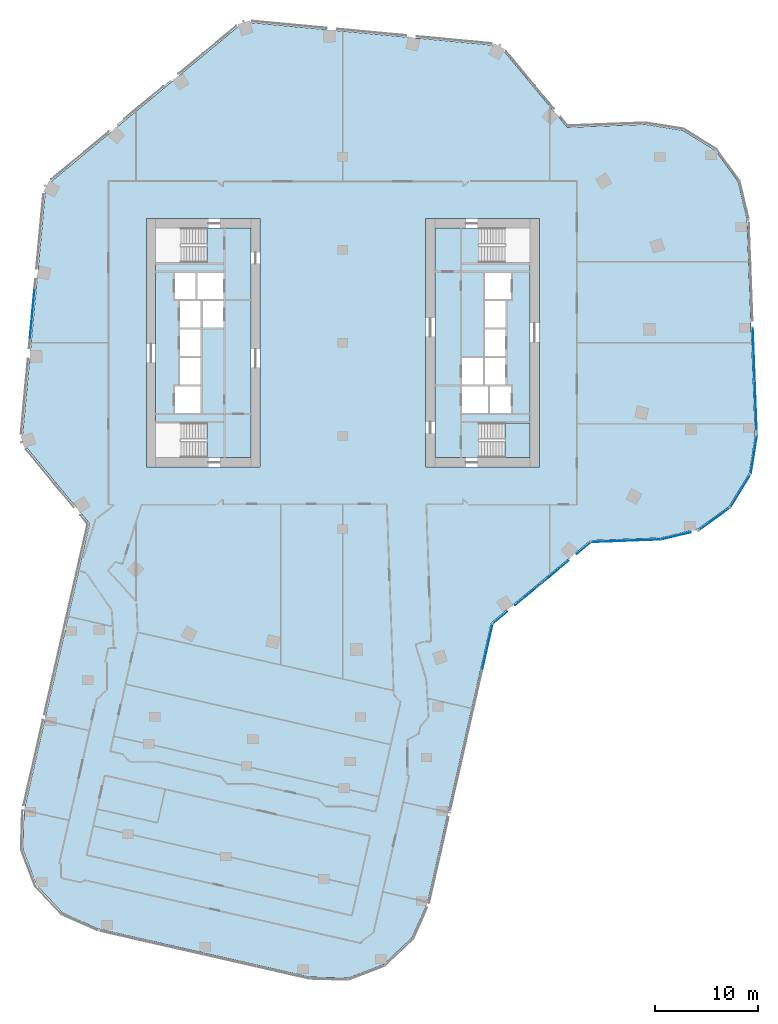
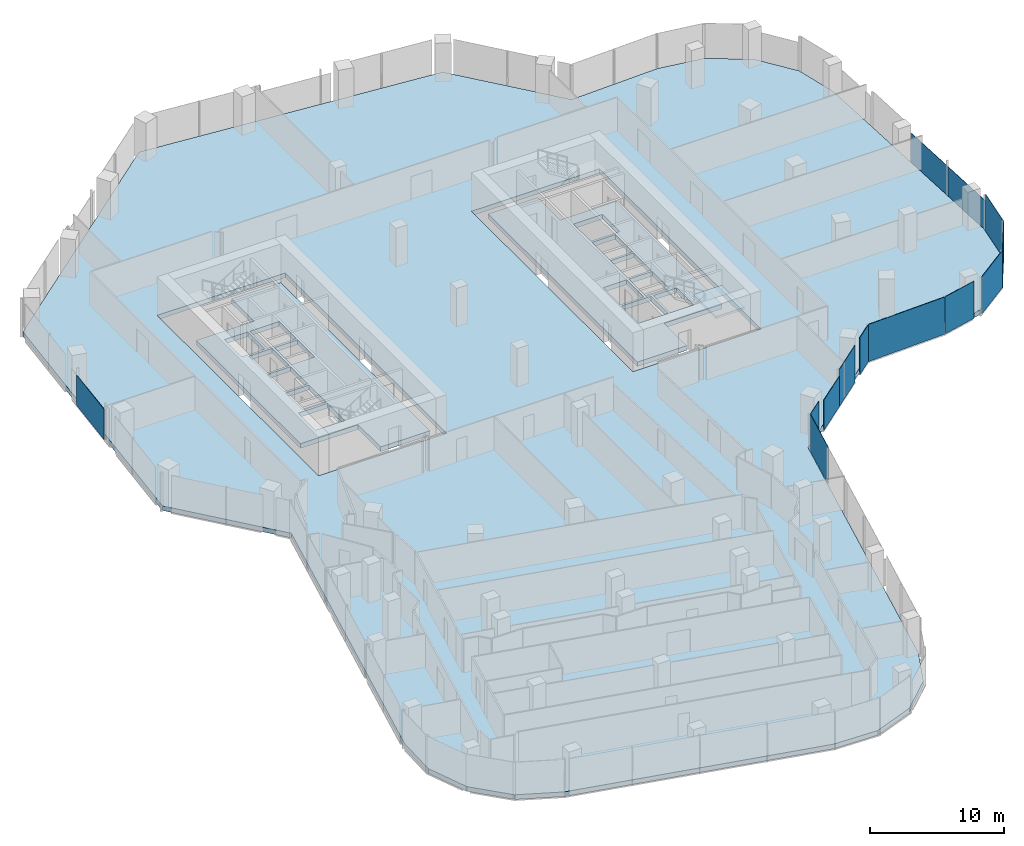
# One storey, part 15 of 23: 13 plates, 4 slabs, 10 elements without a shape of their own.
"""IFC4 building model written with IfcOpenShell, lengths in metres."""

from ifc_helpers import new_model, si_unit, direction, frame, origin, origin_2d, place, context, subcontext, project, spatial, polyline, rectangle, outline, extrude, material, layer, layer_set, type_object, element, aggregate, save


model = new_model("IFC4")

# Units and contexts
model_context = context("Model", 3, precision=1e-05, world=origin(), true_north=direction((0.0, 1.0)))
body_context = subcontext(model_context, "Body", "Model", "MODEL_VIEW")
ifc_project = project(units=[si_unit("LENGTHUNIT", "METRE"), si_unit("AREAUNIT", "SQUARE_METRE"), si_unit("VOLUMEUNIT", "CUBIC_METRE"), si_unit("PLANEANGLEUNIT", "RADIAN"), si_unit("MASSUNIT", "GRAM", prefix="KILO")], contexts=[model_context])

# Site, building, storey
site_placement = place(None, origin())
site = spatial("IfcSite", under=ifc_project, at=site_placement, CompositionType="ELEMENT")
building_placement = place(site_placement, origin())
building = spatial("IfcBuilding", under=site, at=building_placement, Name="Orlundy Tower", CompositionType="ELEMENT")
storey_placement = place(building_placement, frame((0.0, 0.0, 181.10009765625)))
storey = spatial("IfcBuildingStorey", under=building, at=storey_placement, Name="L47", CompositionType="ELEMENT", Elevation=181.10009765625)

# Curtain wall, plate
ifc_material_1 = material(Name="Aluminium bronze anodised", Category="aluminium")
curtain_wall_type = type_object("IfcCurtainWallType", Name="CW1 wall", PredefinedType="NOTDEFINED", material=ifc_material_1)
curtain_wall_1_placement = place(storey_placement, origin())
curtain_wall_1 = element("IfcCurtainWall", 1, at=curtain_wall_1_placement, inside=storey, type_object=curtain_wall_type, Name="CW1 run 02", PredefinedType="NOTDEFINED")
ifc_material_2 = material(Name="Tinted glass", Category="glass")
ifc_layer_1 = layer(ifc_material_2, 0.031982421875)
ifc_layer_set_1 = layer_set([ifc_layer_1], Name="CW1 glass panel 32")
plate_type = type_object("IfcPlateType", Name="CW1 glass panel 32", PredefinedType="CURTAIN_PANEL", material=ifc_layer_set_1)
plate_1_placement = place(storey_placement, frame((-30.033203125, 2.8037109375, -0.30029296875), z_axis=(0.0, 0.0, 1.0), x_axis=(0.092948066811, 0.995670958136, 0.0)))
plate_1 = element("IfcPlate", 2, at=plate_1_placement, type_object=plate_type, Name="CW1 panel", PredefinedType="CURTAIN_PANEL", context=body_context, shape_type="SweptSolid", body=[
    extrude(rectangle(XDim=4.92041015625, YDim=0.031982421875, at=origin_2d()), origin(), (0.0, 0.0, 1.0), 2.763916015625),
])
aggregate(curtain_wall_1, [plate_1])

# Curtain wall, plates
curtain_wall_2_placement = place(storey_placement, origin())
curtain_wall_2 = element("IfcCurtainWall", 3, at=curtain_wall_2_placement, inside=storey, type_object=curtain_wall_type, Name="CW1 run 011", PredefinedType="NOTDEFINED")
plate_2_placement = place(storey_placement, frame((39.735107421875, -1.12353515625, -0.30029296875), z_axis=(0.0, 0.0, 1.0), x_axis=(0.03780949547, -0.999284965389, 0.0)))
plate_2 = element("IfcPlate", 4, at=plate_2_placement, type_object=plate_type, Name="CW1 panel", PredefinedType="CURTAIN_PANEL", context=body_context, shape_type="SweptSolid", body=[
    extrude(rectangle(XDim=5.199951171875, YDim=0.031982421875, at=origin_2d()), origin(), (0.0, 0.0, 1.0), 2.763916015625),
])
plate_3_placement = place(storey_placement, frame((39.933837890625, -6.377685546875, -0.30029296875), z_axis=(0.0, 0.0, 1.0), x_axis=(0.03780949547, -0.999284965389, 0.0)))
plate_3 = element("IfcPlate", 5, at=plate_3_placement, type_object=plate_type, Name="CW1 panel", PredefinedType="CURTAIN_PANEL", context=body_context, shape_type="SweptSolid", body=[
    extrude(rectangle(XDim=5.216064453125, YDim=0.031982421875, at=origin_2d()), origin(), (0.0, 0.0, 1.0), 2.763916015625),
])
aggregate(curtain_wall_2, [plate_2, plate_3])

# Curtain wall, plate
curtain_wall_3_placement = place(storey_placement, origin())
curtain_wall_3 = element("IfcCurtainWall", 6, at=curtain_wall_3_placement, inside=storey, type_object=curtain_wall_type, Name="CW1 run 012", PredefinedType="NOTDEFINED")
plate_4_placement = place(storey_placement, frame((39.735107421875, -10.87548828125, -0.300048828125), z_axis=(0.0, 0.0, 1.0), x_axis=(-0.157832660108, -0.987465873539, 0.0)))
plate_4 = element("IfcPlate", 7, at=plate_4_placement, type_object=plate_type, Name="CW1 panel", PredefinedType="CURTAIN_PANEL", context=body_context, shape_type="SweptSolid", body=[
    extrude(rectangle(XDim=3.730224609375, YDim=0.031982421875, at=origin_2d()), origin(), (0.0, 0.0, 1.0), 3.3798828125),
])
aggregate(curtain_wall_3, [plate_4])

curtain_wall_4_placement = place(storey_placement, origin())
curtain_wall_4 = element("IfcCurtainWall", 8, at=curtain_wall_4_placement, inside=storey, type_object=curtain_wall_type, Name="CW1 run 013", PredefinedType="NOTDEFINED")
plate_5_placement = place(storey_placement, frame((38.45263671875, -14.323974609375, -0.300048828125), z_axis=(0.0, 0.0, 1.0), x_axis=(-0.523826505898, -0.851824977163, 0.0)))
plate_5 = element("IfcPlate", 9, at=plate_5_placement, type_object=plate_type, Name="CW1 panel", PredefinedType="CURTAIN_PANEL", context=body_context, shape_type="SweptSolid", body=[
    extrude(rectangle(XDim=3.772705078125, YDim=0.031982421875, at=origin_2d()), origin(), (0.0, 0.0, 1.0), 3.3798828125),
])
aggregate(curtain_wall_4, [plate_5])

curtain_wall_5_placement = place(storey_placement, origin())
curtain_wall_5 = element("IfcCurtainWall", 10, at=curtain_wall_5_placement, inside=storey, type_object=curtain_wall_type, Name="CW1 run 014", PredefinedType="NOTDEFINED")
plate_6_placement = place(storey_placement, frame((35.937255859375, -17.036865234375, -0.300048828125), z_axis=(0.0, 0.0, 1.0), x_axis=(-0.809924443503, -0.586534223909, 0.0)))
plate_6 = element("IfcPlate", 11, at=plate_6_placement, type_object=plate_type, Name="CW1 panel", PredefinedType="CURTAIN_PANEL", context=body_context, shape_type="SweptSolid", body=[
    extrude(rectangle(XDim=3.771728515625, YDim=0.031982421875, at=origin_2d()), origin(), (0.0, 0.0, 1.0), 3.3798828125),
])
aggregate(curtain_wall_5, [plate_6])

curtain_wall_6_placement = place(storey_placement, origin())
curtain_wall_6 = element("IfcCurtainWall", 12, at=curtain_wall_6_placement, inside=storey, type_object=curtain_wall_type, Name="CW1 run 015", PredefinedType="NOTDEFINED")
plate_7_placement = place(storey_placement, frame((32.206298828125, -18.669189453125, -0.300048828125), z_axis=(0.0, 0.0, 1.0), x_axis=(-0.972643862343, -0.232301349645, 0.0)))
plate_7 = element("IfcPlate", 13, at=plate_7_placement, type_object=plate_type, Name="CW1 panel", PredefinedType="CURTAIN_PANEL", context=body_context, shape_type="SweptSolid", body=[
    extrude(rectangle(XDim=2.92919921875, YDim=0.031982421875, at=origin_2d()), origin(), (0.0, 0.0, 1.0), 3.3798828125),
])
aggregate(curtain_wall_6, [plate_7])

curtain_wall_7_placement = place(storey_placement, origin())
curtain_wall_7 = element("IfcCurtainWall", 14, at=curtain_wall_7_placement, inside=storey, type_object=curtain_wall_type, Name="CW1 run 016", PredefinedType="NOTDEFINED")
plate_8_placement = place(storey_placement, frame((27.37451171875, -19.14306640625, -0.300048828125), z_axis=(0.0, 0.0, 1.0), x_axis=(-0.999287923787, -0.037731225433, 0.0)))
plate_8 = element("IfcPlate", 15, at=plate_8_placement, type_object=plate_type, Name="CW1 panel", PredefinedType="CURTAIN_PANEL", context=body_context, shape_type="SweptSolid", body=[
    extrude(rectangle(XDim=6.72021484375, YDim=0.031982421875, at=origin_2d()), origin(), (0.0, 0.0, 1.0), 3.3798828125),
])
aggregate(curtain_wall_7, [plate_8])

# Curtain wall, plates
curtain_wall_8_placement = place(storey_placement, origin())
curtain_wall_8 = element("IfcCurtainWall", 16, at=curtain_wall_8_placement, inside=storey, type_object=curtain_wall_type, Name="CW1 run 017", PredefinedType="NOTDEFINED")
plate_9_placement = place(storey_placement, frame((23.319091796875, -19.848388671875, -0.300048828125), z_axis=(0.0, 0.0, 1.0), x_axis=(-0.769761799816, -0.638331239674, 0.0)))
plate_9 = element("IfcPlate", 17, at=plate_9_placement, type_object=plate_type, Name="CW1 panel", PredefinedType="CURTAIN_PANEL", context=body_context, shape_type="SweptSolid", body=[
    extrude(rectangle(XDim=1.81298828125, YDim=0.031982421875, at=origin_2d()), origin(), (0.0, 0.0, 1.0), 3.3798828125),
])
plate_10_placement = place(storey_placement, frame((20.555908203125, -22.139892578125, -0.300048828125), z_axis=(0.0, 0.0, 1.0), x_axis=(-0.769761799816, -0.638331239674, 0.0)))
plate_10 = element("IfcPlate", 18, at=plate_10_placement, type_object=plate_type, Name="CW1 panel", PredefinedType="CURTAIN_PANEL", context=body_context, shape_type="SweptSolid", body=[
    extrude(rectangle(XDim=3.33203125, YDim=0.031982421875, at=origin_2d()), origin(), (0.0, 0.0, 1.0), 3.3798828125),
])
plate_11_placement = place(storey_placement, frame((17.95263671875, -24.298583984375, -0.30029296875), z_axis=(0.0, 0.0, 1.0), x_axis=(-0.769761799816, -0.638331239674, 0.0)))
plate_11 = element("IfcPlate", 19, at=plate_11_placement, type_object=plate_type, Name="CW1 panel", PredefinedType="CURTAIN_PANEL", context=body_context, shape_type="SweptSolid", body=[
    extrude(rectangle(XDim=3.331787109375, YDim=0.031982421875, at=origin_2d()), origin(), (0.0, 0.0, 1.0), 2.763916015625),
])
plate_12_placement = place(storey_placement, frame((15.189453125, -26.58984375, -0.300048828125), z_axis=(0.0, 0.0, 1.0), x_axis=(-0.769761799816, -0.638331239674, 0.0)))
plate_12 = element("IfcPlate", 20, at=plate_12_placement, type_object=plate_type, Name="CW1 panel", PredefinedType="CURTAIN_PANEL", context=body_context, shape_type="SweptSolid", body=[
    extrude(rectangle(XDim=1.8134765625, YDim=0.031982421875, at=origin_2d()), origin(), (0.0, 0.0, 1.0), 3.3798828125),
])
aggregate(curtain_wall_8, [plate_9, plate_10, plate_11, plate_12])

# Curtain wall, plate
curtain_wall_9_placement = place(storey_placement, origin())
curtain_wall_9 = element("IfcCurtainWall", 21, at=curtain_wall_9_placement, inside=storey, type_object=curtain_wall_type, Name="CW1 run 018", PredefinedType="NOTDEFINED")
plate_13_placement = place(storey_placement, frame((13.986328125, -29.386962890625, -0.300048828125), z_axis=(0.0, 0.0, 1.0), x_axis=(-0.222106437373, -0.975022425628, 0.0)))
plate_13 = element("IfcPlate", 22, at=plate_13_placement, type_object=plate_type, Name="CW1 panel", PredefinedType="CURTAIN_PANEL", context=body_context, shape_type="SweptSolid", body=[
    extrude(rectangle(XDim=4.550048828125, YDim=0.031982421875, at=origin_2d()), origin(), (0.0, 0.0, 1.0), 3.3798828125),
])
aggregate(curtain_wall_9, [plate_13])

# Slabs
ifc_material_3 = material(Name="Concrete C50/60", Category="concrete")
ifc_layer_2 = layer(ifc_material_3, 0.419921875)
ifc_layer_set_2 = layer_set([ifc_layer_2], Name="Core Floor Slab 420")
slab_type_1 = type_object("IfcSlabType", Name="Core Floor Slab 420", PredefinedType="FLOOR", material=ifc_layer_set_2)
slab_1_placement = place(storey_placement, frame((0.0, 0.0, -0.420166015625)))
element("IfcSlab", 23, at=slab_1_placement, inside=storey, type_object=slab_type_1, Name="Core floor W36", PredefinedType="FLOOR", context=body_context, shape_type="SweptSolid", body=[
    extrude(outline(polyline([(-13.14501953125, -11.10009765625), (-13.14501953125, -7.75), (-18.10009765625, -7.75), (-18.10009765625, 7.75), (-13.14501953125, 7.75), (-13.14501953125, 11.10009765625), (-8.89990234375, 11.10009765625), (-8.89990234375, -11.10009765625), (-13.14501953125, -11.10009765625)]), holes=[polyline([(-13.739990234375, -4.22509765625), (-16.239990234375, -4.22509765625), (-16.239990234375, -6.77490234375), (-13.739990234375, -6.77490234375), (-13.739990234375, -4.22509765625)]), polyline([(-13.739990234375, -4.02490234375), (-13.739990234375, -1.47509765625), (-15.739990234375, -1.47509765625), (-15.739990234375, -4.02490234375), (-13.739990234375, -4.02490234375)]), polyline([(-15.739990234375, -1.27490234375), (-13.739990234375, -1.27490234375), (-13.739990234375, 1.27490234375), (-15.739990234375, 1.27490234375), (-15.739990234375, -1.27490234375)]), polyline([(-13.5400390625, 4.02490234375), (-13.5400390625, 1.47509765625), (-11.5400390625, 1.47509765625), (-11.5400390625, 4.02490234375), (-13.5400390625, 4.02490234375)]), polyline([(-13.739990234375, 4.02490234375), (-15.739990234375, 4.02490234375), (-15.739990234375, 1.47509765625), (-13.739990234375, 1.47509765625), (-13.739990234375, 4.02490234375)]), polyline([(-11.5400390625, 4.22509765625), (-11.5400390625, 6.77490234375), (-14.0400390625, 6.77490234375), (-14.0400390625, 4.22509765625), (-11.5400390625, 4.22509765625)]), polyline([(-16.239990234375, 4.22509765625), (-14.239990234375, 4.22509765625), (-14.239990234375, 6.77490234375), (-16.239990234375, 6.77490234375), (-16.239990234375, 4.22509765625)])]), origin(), (0.0, 0.0, 1.0), 0.420166015625),
])
slab_2_placement = place(storey_placement, frame((0.0, 0.0, -0.420166015625)))
element("IfcSlab", 24, at=slab_2_placement, inside=storey, type_object=slab_type_1, Name="Core floor E36", PredefinedType="FLOOR", context=body_context, shape_type="SweptSolid", body=[
    extrude(outline(polyline([(13.14501953125, 11.10009765625), (13.14501953125, 7.75), (18.10009765625, 7.75), (18.10009765625, -7.75), (13.14501953125, -7.75), (13.14501953125, -11.10009765625), (8.89990234375, -11.10009765625), (8.89990234375, 11.10009765625), (13.14501953125, 11.10009765625)]), holes=[polyline([(13.739990234375, 4.22509765625), (16.239990234375, 4.22509765625), (16.239990234375, 6.77490234375), (13.739990234375, 6.77490234375), (13.739990234375, 4.22509765625)]), polyline([(13.739990234375, 4.02490234375), (13.739990234375, 1.47509765625), (15.739990234375, 1.47509765625), (15.739990234375, 4.02490234375), (13.739990234375, 4.02490234375)]), polyline([(15.739990234375, 1.27490234375), (13.739990234375, 1.27490234375), (13.739990234375, -1.27490234375), (15.739990234375, -1.27490234375), (15.739990234375, 1.27490234375)]), polyline([(13.5400390625, -4.02490234375), (13.5400390625, -1.47509765625), (11.5400390625, -1.47509765625), (11.5400390625, -4.02490234375), (13.5400390625, -4.02490234375)]), polyline([(13.739990234375, -4.02490234375), (15.739990234375, -4.02490234375), (15.739990234375, -1.47509765625), (13.739990234375, -1.47509765625), (13.739990234375, -4.02490234375)]), polyline([(11.5400390625, -4.22509765625), (11.5400390625, -6.77490234375), (14.0400390625, -6.77490234375), (14.0400390625, -4.22509765625), (11.5400390625, -4.22509765625)]), polyline([(16.239990234375, -4.22509765625), (14.239990234375, -4.22509765625), (14.239990234375, -6.77490234375), (16.239990234375, -6.77490234375), (16.239990234375, -4.22509765625)])]), origin(), (0.0, 0.0, 1.0), 0.420166015625),
])

# Stair, slab
ifc_material_4 = material(Name="Concrete C50/60", Category="concrete")
stair_type = type_object("IfcStairType", Name="Exit Stair 20 risers", PredefinedType="HALF_TURN_STAIR", material=ifc_material_4)
stair_placement = place(storey_placement, origin())
stair = element("IfcStair", 25, at=stair_placement, inside=storey, type_object=stair_type, Name="L47 Exit Stair ST-E1", PredefinedType="HALF_TURN_STAIR")
ifc_material_5 = material(Name="Concrete C50/60", Category="concrete")
ifc_layer_3 = layer(ifc_material_5, 0.199951171875)
ifc_layer_set_3 = layer_set([ifc_layer_3], Name="Exit Stair Landing")
slab_type_2 = type_object("IfcSlabType", Name="Exit Stair Landing", PredefinedType="LANDING", material=ifc_layer_set_3)
slab_3_placement = place(storey_placement, frame((0.0, 0.0, 1.5498046875)))
slab_3 = element("IfcSlab", 26, at=slab_3_placement, type_object=slab_type_2, Name="ST-E1 landing 1", PredefinedType="LANDING", context=body_context, shape_type="SweptSolid", body=[
    extrude(outline(polyline([(15.659912109375, -11.10009765625), (18.10009765625, -11.10009765625), (18.10009765625, -7.75), (15.659912109375, -7.75), (15.659912109375, -11.10009765625)])), origin(), (0.0, 0.0, 1.0), 0.2001953125),
])
aggregate(stair, [slab_3])

# Slab
ifc_material_6 = material(Name="Concrete C45/55", Category="concrete")
ifc_layer_4 = layer(ifc_material_6, 0.419921875)
ifc_layer_set_4 = layer_set([ifc_layer_4], Name="TRANSFER FLOOR SLAB 420 C45/55")
slab_type_3 = type_object("IfcSlabType", Name="TRANSFER FLOOR SLAB 420 C45/55", PredefinedType="FLOOR", material=ifc_layer_set_4)
slab_4_placement = place(storey_placement, frame((0.0, 0.0, -0.420166015625)))
element("IfcSlab", 27, at=slab_4_placement, inside=storey, type_object=slab_type_3, Name="Floor slab L47", PredefinedType="FLOOR", context=body_context, shape_type="SweptSolid", body=[
    extrude(outline(polyline([(-24.490966796875, -17.464111328125), (-31.02490234375, -9.583984375), (-28.715087890625, 15.160888671875), (-9.583984375, 31.02490234375), (15.160888671875, 28.715087890625), (21.695068359375, 20.8349609375), (29.221923828125, 21.1201171875), (32.883056640625, 20.534912109375), (36.0400390625, 18.593017578125), (38.215087890625, 15.591064453125), (39.074951171875, 11.986083984375), (39.868896484375, -8.9990234375), (39.283935546875, -12.658935546875), (37.342041015625, -15.81689453125), (34.340087890625, -17.990966796875), (30.735107421875, -18.85205078125), (23.955078125, -19.10791015625), (14.343994140625, -27.077880859375), (8.173095703125, -54.16796875), (6.659912109375, -57.552001953125), (3.967041015625, -60.10009765625), (0.5048828125, -61.423095703125), (-3.199951171875, -61.321044921875), (-23.676025390625, -56.656982421875), (-27.06005859375, -55.14404296875), (-29.60693359375, -52.450927734375), (-30.930908203125, -48.989013671875), (-30.827880859375, -45.283935546875), (-24.490966796875, -17.464111328125)]), holes=[polyline([(-8.0, -12.0), (-8.0, 12.0), (-19.0, 12.0), (-19.0, -12.0), (-8.0, -12.0)]), polyline([(19.0, -12.0), (19.0, 12.0), (8.0, 12.0), (8.0, -12.0), (19.0, -12.0)])]), origin(), (0.0, 0.0, 1.0), 0.420166015625),
])

save(model, "model.ifc")
